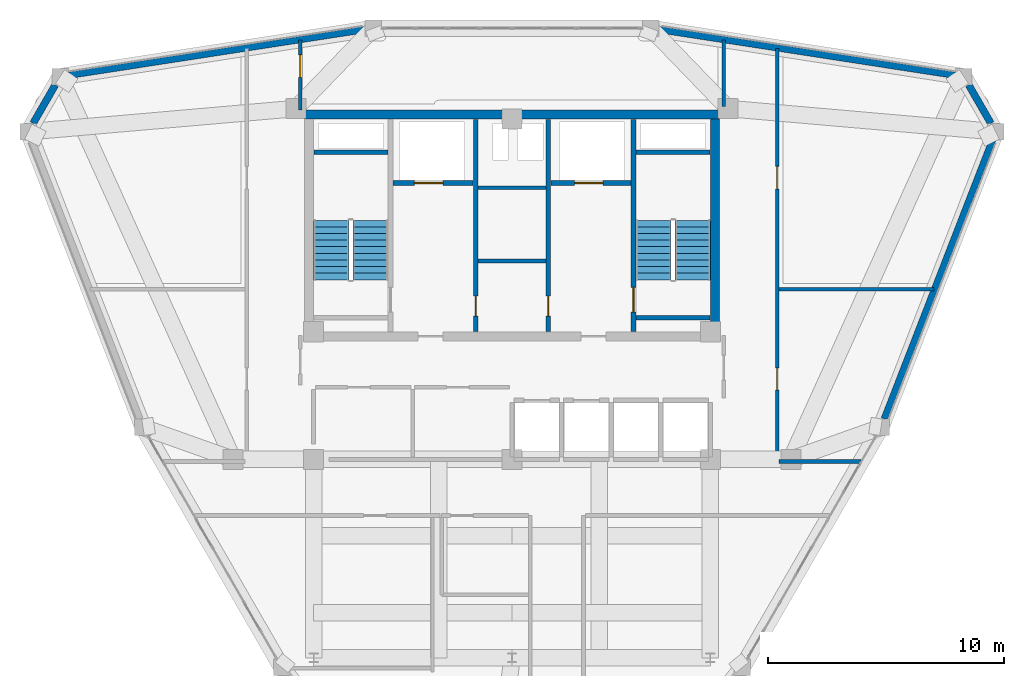
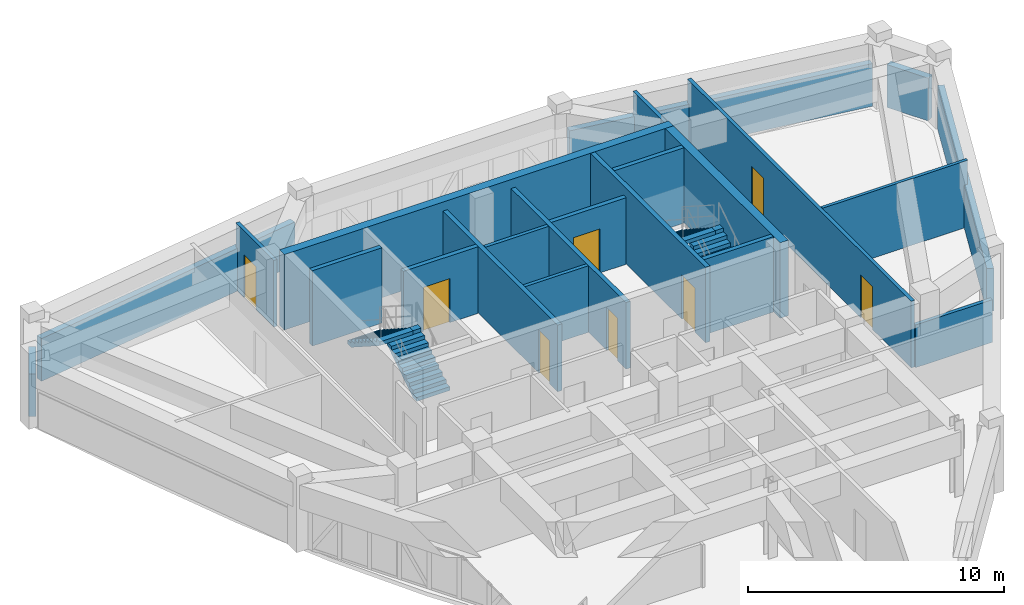
# One storey, part 12 of 14: 22 walls, 8 doors, 4 stair flights, 8 openings, 2 elements without a shape of their own.
"""IFC4 building model written with IfcOpenShell, lengths in metres."""

from ifc_helpers import new_model, si_unit, derived_unit, direction, frame, frame_2d, origin, place, context, subcontext, project, spatial, polyline, rectangle, outline, extrude, material, layer, layer_set, type_object, element, fill, aggregate, save


model = new_model("IFC4")

# Units and contexts
model_context = context("Model", 3, precision=1e-05, world=origin(), true_north=direction((0.0, 1.0)))
body_context = subcontext(model_context, "Body", "Model", "MODEL_VIEW")
ifc_project = project(units=[si_unit("LENGTHUNIT", "METRE"), si_unit("AREAUNIT", "SQUARE_METRE"), si_unit("VOLUMEUNIT", "CUBIC_METRE"), si_unit("PLANEANGLEUNIT", "RADIAN"), si_unit("MASSUNIT", "GRAM", prefix="KILO"), derived_unit("THERMALTRANSMITTANCEUNIT", [(si_unit("POWERUNIT", "WATT"), 1), (si_unit("LENGTHUNIT", "METRE"), -2), (si_unit("THERMODYNAMICTEMPERATUREUNIT", "KELVIN"), -1)])], contexts=[model_context])

# Site, building, storey
site_placement = place(None, origin())
site = spatial("IfcSite", under=ifc_project, at=site_placement, CompositionType="ELEMENT")
building_placement = place(site_placement, origin())
building = spatial("IfcBuilding", under=site, at=building_placement, Name="Korsvarv Bourse and Concert Hall", CompositionType="ELEMENT")
storey_placement = place(building_placement, frame((0.0, 0.0, 271.800048828125)))
storey = spatial("IfcBuildingStorey", under=building, at=storey_placement, Name="L71", CompositionType="ELEMENT", Elevation=271.800048828125)

# Walls
ifc_material_1 = material(Name="Concrete C50/60", Category="concrete")
ifc_layer_1 = layer(ifc_material_1, 0.3798828125)
ifc_layer_set_1 = layer_set([ifc_layer_1], Name="Concrete C50/60")
wall_type_1 = type_object("IfcWallType", Name="WL-CORE-380", PredefinedType="SHEAR", material=ifc_layer_set_1)
wall_1_placement = place(storey_placement, frame((27.219970703125, 46.989990234375, 0.0), z_axis=(0.0, 0.0, 1.0), x_axis=(1.0, 0.0, 0.0)))
element("IfcWall", 1, at=wall_1_placement, inside=storey, type_object=wall_type_1, Name="L71 North Core Shear Wall", PredefinedType="SHEAR", context=body_context, shape_type="SweptSolid", body=[
    extrude(rectangle(XDim=17.56005859375, YDim=0.3798828125, at=frame_2d((8.780029296875, 0.0))), origin(), (0.0, 0.0, 1.0), 3.599853515625),
])
wall_2_placement = place(storey_placement, frame((44.590087890625, 37.800048828125, 0.0), z_axis=(0.0, 0.0, 1.0), x_axis=(0.0, 1.0, 0.0)))
element("IfcWall", 2, at=wall_2_placement, inside=storey, type_object=wall_type_1, Name="L71 East Core Shear Wall", PredefinedType="SHEAR", context=body_context, shape_type="SweptSolid", body=[
    extrude(rectangle(XDim=9.0, YDim=0.3798828125, at=frame_2d((4.5, 0.0))), origin(), (0.0, 0.0, 1.0), 3.599853515625),
])
wall_3_placement = place(storey_placement, frame((27.610107421875, 45.39990234375, 0.0), z_axis=(0.0, 0.0, 1.0), x_axis=(1.0, 0.0, 0.0)))
element("IfcWall", 3, at=wall_3_placement, inside=storey, type_object=wall_type_1, Name="L71 stair shaft structural wall W-L71-ST1-N", PredefinedType="SHEAR", context=body_context, shape_type="SweptSolid", body=[
    extrude(rectangle(XDim=3.139892578125, YDim=0.199951171875, at=frame_2d((1.56982421875, 0.0))), origin(), (0.0, 0.0, 1.0), 3.599853515625),
])

# Wall, opening, door
wall_4_placement = place(storey_placement, frame((41.139892578125, 37.81005859375, 0.0), z_axis=(0.0, 0.0, 1.0), x_axis=(0.0, 1.0, 0.0)))
wall_4 = element("IfcWall", 4, at=wall_4_placement, inside=storey, type_object=wall_type_1, Name="L71 stair shaft structural wall W-L71-ST2-W", PredefinedType="SHEAR", context=body_context, shape_type="SweptSolid", body=[
    extrude(rectangle(XDim=8.97998046875, YDim=0.199951171875, at=frame_2d((4.489990234375, 0.0))), origin(), (0.0, 0.0, 1.0), 3.599853515625),
])
opening_1_placement = place(wall_4_placement, frame((0.820068359375, 0.0, 0.0)))
opening_1 = element("IfcOpeningElement", 5, at=opening_1_placement, cuts=wall_4, Name="Opening D-01", PredefinedType="OPENING", context=body_context, shape_type="SweptSolid", body=[
    extrude(rectangle(XDim=1.050048828125, YDim=2.10009765625, at=frame_2d((0.52490234375, 1.050048828125))), frame((0.0, 0.10986328125, 0.0), z_axis=(0.0, -1.0, 0.0), x_axis=(1.0, 0.0, 0.0)), (0.0, 0.0, 1.0), 0.219970703125),
])
ifc_material_2 = material(Name="Steel S355 fire door", Category="steel")
door_type_1 = type_object("IfcDoorType", Name="DR-FD60", OperationType="NOTDEFINED", PredefinedType="DOOR", material=ifc_material_2)
door_1_placement = place(opening_1_placement, frame((1.050048828125, 0.0, 0.0), z_axis=(0.0, 0.0, 1.0), x_axis=(-1.0, 0.0, 0.0)))
door_1 = element("IfcDoor", 6, at=door_1_placement, inside=storey, type_object=door_type_1, Name="L71 interior door DR-L71-ST2", OperationType="SINGLE_SWING_LEFT", OverallHeight=2.10009765625, OverallWidth=1.050048828125, PredefinedType="DOOR", context=body_context, shape_type="SweptSolid", body=[
    extrude(rectangle(XDim=1.050048828125, YDim=2.10009765625, at=frame_2d((0.52490234375, 1.050048828125))), frame((0.0, 0.02490234375, 0.0), z_axis=(0.0, -1.0, 0.0), x_axis=(1.0, 0.0, 0.0)), (0.0, 0.0, 1.0), 0.050048828125),
])
fill(opening_1, door_1)

# Walls
for number, where, z_axis, x_axis, name in (
    (7, (41.25, 45.39990234375, 0.0), (0.0, 0.0, 1.0), (1.0, 0.0, 0.0), "L71 stair shaft structural wall W-L71-ST2-N"),
    (8, (41.25, 38.39990234375, 0.0), (0.0, 0.0, 1.0), (1.0, 0.0, 0.0), "L71 stair shaft structural wall W-L71-ST2-S"),
):
    element("IfcWall", number, at=place(storey_placement, frame(where, z_axis=z_axis, x_axis=x_axis)), inside=storey, type_object=wall_type_1, Name=name, PredefinedType="SHEAR", context=body_context, shape_type="SweptSolid", body=[
        extrude(rectangle(XDim=3.139892578125, YDim=0.199951171875, at=frame_2d((1.56982421875, 0.0))), origin(), (0.0, 0.0, 1.0), 3.599853515625),
    ])
ifc_material_3 = material(Name="Precast concrete C45/55 with terracotta rainscreen", Category="concrete")
ifc_layer_2 = layer(ifc_material_3, 0.300048828125)
ifc_layer_set_2 = layer_set([ifc_layer_2], Name="Precast concrete C45/55 with terracotta rainscreen")
wall_type_2 = type_object("IfcWallType", Name="WL-EXT-TC1", PredefinedType="SOLIDWALL", material=ifc_layer_set_2)
for number, where, z_axis, x_axis, name in (
    (9, (56.269287109375, 46.621337890625, 0.0), (0.0, 0.0, 1.0), (-0.500023421257, 0.866011881093, 0.0), "L71 terracotta exterior wall EW-L71-B01"),
    (10, (16.6669921875, 48.242919921875, 0.0), (0.0, 0.0, 1.0), (-0.500023421257, -0.866011881093, 0.0), "L71 terracotta exterior wall EW-L71-B05"),
):
    element("IfcWall", number, at=place(storey_placement, frame(where, z_axis=z_axis, x_axis=x_axis)), inside=storey, type_object=wall_type_2, Name=name, PredefinedType="SOLIDWALL", context=body_context, shape_type="SweptSolid", body=[
        extrude(rectangle(XDim=1.87255859375, YDim=0.300048828125, at=frame_2d((0.936279296875, 0.0))), origin(), (0.0, 0.0, 1.0), 2.0400390625),
    ])
ifc_material_4 = material(Name="Precast concrete C45/55 with fluted terracotta pier", Category="concrete")
ifc_layer_3 = layer(ifc_material_4, 0.280029296875)
ifc_layer_set_3 = layer_set([ifc_layer_3], Name="Precast concrete C45/55 with fluted terracotta pier")
wall_type_3 = type_object("IfcWallType", Name="WL-EXT-TC2", PredefinedType="SOLIDWALL", material=ifc_layer_set_3)
for number, where, z_axis, x_axis, name in (
    (11, (54.77294921875, 48.65283203125, 0.0), (0.0, 0.0, 1.0), (-0.988271454673, 0.152707340617, 0.0), "L71 terracotta exterior wall EW-L71-B02"),
    (12, (29.775390625, 50.591796875, 0.0), (0.0, 0.0, 1.0), (-0.988271454673, -0.152707340617, 0.0), "L71 terracotta exterior wall EW-L71-B04"),
):
    element("IfcWall", number, at=place(storey_placement, frame(where, z_axis=z_axis, x_axis=x_axis)), inside=storey, type_object=wall_type_3, Name=name, PredefinedType="SOLIDWALL", context=body_context, shape_type="SweptSolid", body=[
        extrude(rectangle(XDim=12.697265625, YDim=0.280029296875, at=frame_2d((6.3486328125, 0.0))), origin(), (0.0, 0.0, 1.0), 2.0400390625),
    ])
wall_5_placement = place(storey_placement, frame((51.757080078125, 34.11474609375, 0.0), z_axis=(0.0, 0.0, 1.0), x_axis=(0.3618810561, 0.932224276253, 0.0)))
element("IfcWall", 13, at=wall_5_placement, inside=storey, type_object=wall_type_3, Name="L71 terracotta exterior wall EW-L71-B12", PredefinedType="SOLIDWALL", context=body_context, shape_type="SweptSolid", body=[
    extrude(rectangle(XDim=12.654296875, YDim=0.280029296875, at=frame_2d((6.3271484375, 0.0))), origin(), (0.0, 0.0, 1.0), 2.0400390625),
])

# Wall, opening, door
ifc_material_5 = material(Name="Reinforced concrete blockwork C35/45 fire wall", Category="concrete")
ifc_layer_4 = layer(ifc_material_5, 0.199951171875)
ifc_layer_set_4 = layer_set([ifc_layer_4], Name="Reinforced concrete blockwork C35/45 fire wall")
wall_type_4 = type_object("IfcWallType", Name="WL-INT-EI120", PredefinedType="PARTITIONING", material=ifc_layer_set_4)
wall_6_placement = place(storey_placement, frame((30.969970703125, 44.10009765625, 0.0), z_axis=(0.0, 0.0, 1.0), x_axis=(1.0, 0.0, 0.0)))
wall_6 = element("IfcWall", 14, at=wall_6_placement, inside=storey, type_object=wall_type_4, Name="L71 interior partition wall W-L71-FF1-S", PredefinedType="PARTITIONING", context=body_context, shape_type="SweptSolid", body=[
    extrude(rectangle(XDim=3.380126953125, YDim=0.199951171875, at=frame_2d((1.68994140625, 0.0))), origin(), (0.0, 0.0, 1.0), 3.179931640625),
])
opening_2_placement = place(wall_6_placement, frame((0.89990234375, 0.0, 0.0)))
opening_2 = element("IfcOpeningElement", 15, at=opening_2_placement, cuts=wall_6, Name="Opening LD-1", PredefinedType="OPENING", context=body_context, shape_type="SweptSolid", body=[
    extrude(rectangle(XDim=1.199951171875, YDim=2.10009765625, at=frame_2d((0.60009765625, 1.050048828125))), frame((0.0, 0.10986328125, 0.0), z_axis=(0.0, -1.0, 0.0), x_axis=(1.0, 0.0, 0.0)), (0.0, 0.0, 1.0), 0.219970703125),
])
ifc_material_6 = material(Name="Stainless Steel S355 firefighting lift landing door", Category="steel")
door_type_2 = type_object("IfcDoorType", Name="DR-LIFT-FF", OperationType="DOUBLE_DOOR_SLIDING", PredefinedType="DOOR", material=ifc_material_6)
door_2_placement = place(opening_2_placement, origin())
door_2 = element("IfcDoor", 16, at=door_2_placement, inside=storey, type_object=door_type_2, Name="L71 lift sliding landing door LD-L71-FF1", OperationType="DOUBLE_DOOR_SLIDING", OverallHeight=2.10009765625, OverallWidth=1.199951171875, PredefinedType="DOOR", context=body_context, shape_type="SweptSolid", body=[
    extrude(rectangle(XDim=1.199951171875, YDim=2.10009765625, at=frame_2d((0.60009765625, 1.050048828125))), frame((0.0, 0.02490234375, 0.0), z_axis=(0.0, -1.0, 0.0), x_axis=(1.0, 0.0, 0.0)), (0.0, 0.0, 1.0), 0.050048828125),
])
fill(opening_2, door_2)

wall_7_placement = place(storey_placement, frame((37.64990234375, 44.10009765625, 0.0), z_axis=(0.0, 0.0, 1.0), x_axis=(1.0, 0.0, 0.0)))
wall_7 = element("IfcWall", 17, at=wall_7_placement, inside=storey, type_object=wall_type_4, Name="L71 interior partition wall W-L71-FF2-S", PredefinedType="PARTITIONING", context=body_context, shape_type="SweptSolid", body=[
    extrude(rectangle(XDim=3.380126953125, YDim=0.199951171875, at=frame_2d((1.68994140625, 0.0))), origin(), (0.0, 0.0, 1.0), 3.179931640625),
])
opening_3_placement = place(wall_7_placement, frame((1.0, 0.0, 0.0)))
opening_3 = element("IfcOpeningElement", 18, at=opening_3_placement, cuts=wall_7, Name="Opening LD-1", PredefinedType="OPENING", context=body_context, shape_type="SweptSolid", body=[
    extrude(rectangle(XDim=1.199951171875, YDim=2.10009765625, at=frame_2d((0.60009765625, 1.050048828125))), frame((0.0, 0.10986328125, 0.0), z_axis=(0.0, -1.0, 0.0), x_axis=(1.0, 0.0, 0.0)), (0.0, 0.0, 1.0), 0.219970703125),
])
door_3_placement = place(opening_3_placement, origin())
door_3 = element("IfcDoor", 19, at=door_3_placement, inside=storey, type_object=door_type_2, Name="L71 lift sliding landing door LD-L71-FF2", OperationType="DOUBLE_DOOR_SLIDING", OverallHeight=2.10009765625, OverallWidth=1.199951171875, PredefinedType="DOOR", context=body_context, shape_type="SweptSolid", body=[
    extrude(rectangle(XDim=1.199951171875, YDim=2.10009765625, at=frame_2d((0.60009765625, 1.050048828125))), frame((0.0, 0.02490234375, 0.0), z_axis=(0.0, -1.0, 0.0), x_axis=(1.0, 0.0, 0.0)), (0.0, 0.0, 1.0), 0.050048828125),
])
fill(opening_3, door_3)

wall_8_placement = place(storey_placement, frame((34.4599609375, 37.81005859375, 0.0), z_axis=(0.0, 0.0, 1.0), x_axis=(0.0, 1.0, 0.0)))
wall_8 = element("IfcWall", 20, at=wall_8_placement, inside=storey, type_object=wall_type_4, Name="L71 interior partition wall W-L71-CSB-W", PredefinedType="PARTITIONING", context=body_context, shape_type="SweptSolid", body=[
    extrude(rectangle(XDim=8.97998046875, YDim=0.199951171875, at=frame_2d((4.489990234375, 0.0))), origin(), (0.0, 0.0, 1.0), 3.179931640625),
])
opening_4_placement = place(wall_8_placement, frame((0.64990234375, 0.0, 0.0)))
opening_4 = element("IfcOpeningElement", 21, at=opening_4_placement, cuts=wall_8, Name="Opening D-05", PredefinedType="OPENING", context=body_context, shape_type="SweptSolid", body=[
    extrude(rectangle(XDim=0.85009765625, YDim=2.050048828125, at=frame_2d((0.425048828125, 1.02490234375))), frame((0.0, 0.10986328125, 0.0), z_axis=(0.0, -1.0, 0.0), x_axis=(1.0, 0.0, 0.0)), (0.0, 0.0, 1.0), 0.219970703125),
])
door_type_3 = type_object("IfcDoorType", Name="DR-FD60-850X2050", OperationType="NOTDEFINED", PredefinedType="DOOR", material=ifc_material_2)
door_4_placement = place(opening_4_placement, frame((0.85009765625, 0.0, 0.0), z_axis=(0.0, 0.0, 1.0), x_axis=(-1.0, 0.0, 0.0)))
door_4 = element("IfcDoor", 22, at=door_4_placement, inside=storey, type_object=door_type_3, Name="L71 interior door DR-L71-CSB1", OperationType="SINGLE_SWING_RIGHT", OverallHeight=2.050048828125, OverallWidth=0.85009765625, PredefinedType="DOOR", context=body_context, shape_type="SweptSolid", body=[
    extrude(rectangle(XDim=0.85009765625, YDim=2.050048828125, at=frame_2d((0.425048828125, 1.02490234375))), frame((0.0, 0.02490234375, 0.0), z_axis=(0.0, -1.0, 0.0), x_axis=(1.0, 0.0, 0.0)), (0.0, 0.0, 1.0), 0.050048828125),
])
fill(opening_4, door_4)

wall_9_placement = place(storey_placement, frame((37.5400390625, 37.81005859375, 0.0), z_axis=(0.0, 0.0, 1.0), x_axis=(0.0, 1.0, 0.0)))
wall_9 = element("IfcWall", 23, at=wall_9_placement, inside=storey, type_object=wall_type_4, Name="L71 interior partition wall W-L71-CSB-E", PredefinedType="PARTITIONING", context=body_context, shape_type="SweptSolid", body=[
    extrude(rectangle(XDim=8.97998046875, YDim=0.199951171875, at=frame_2d((4.489990234375, 0.0))), origin(), (0.0, 0.0, 1.0), 3.179931640625),
])
opening_5_placement = place(wall_9_placement, frame((0.64990234375, 0.0, 0.0)))
opening_5 = element("IfcOpeningElement", 24, at=opening_5_placement, cuts=wall_9, Name="Opening D-05", PredefinedType="OPENING", context=body_context, shape_type="SweptSolid", body=[
    extrude(rectangle(XDim=0.85009765625, YDim=2.050048828125, at=frame_2d((0.425048828125, 1.02490234375))), frame((0.0, 0.10986328125, 0.0), z_axis=(0.0, -1.0, 0.0), x_axis=(1.0, 0.0, 0.0)), (0.0, 0.0, 1.0), 0.219970703125),
])
door_5_placement = place(opening_5_placement, origin())
door_5 = element("IfcDoor", 25, at=door_5_placement, inside=storey, type_object=door_type_3, Name="L71 interior door DR-L71-CSB2", OperationType="SINGLE_SWING_LEFT", OverallHeight=2.050048828125, OverallWidth=0.85009765625, PredefinedType="DOOR", context=body_context, shape_type="SweptSolid", body=[
    extrude(rectangle(XDim=0.85009765625, YDim=2.050048828125, at=frame_2d((0.425048828125, 1.02490234375))), frame((0.0, 0.02490234375, 0.0), z_axis=(0.0, -1.0, 0.0), x_axis=(1.0, 0.0, 0.0)), (0.0, 0.0, 1.0), 0.050048828125),
])
fill(opening_5, door_5)

# Walls
ifc_material_7 = material(Name="Double-stud fire-rated acoustic partition", Category="gypsum")
ifc_layer_5 = layer(ifc_material_7, 0.159912109375)
ifc_layer_set_5 = layer_set([ifc_layer_5], Name="Double-stud fire-rated acoustic partition")
wall_type_5 = type_object("IfcWallType", Name="WL-INT-EI60", PredefinedType="PARTITIONING", material=ifc_layer_set_5)
for number, where, z_axis, x_axis, name in (
    (26, (34.570068359375, 40.800048828125, 0.0), (0.0, 0.0, 1.0), (1.0, 0.0, 0.0), "L71 interior partition wall W-L71-K1"),
    (27, (34.570068359375, 43.89990234375, 0.0), (0.0, 0.0, 1.0), (1.0, 0.0, 0.0), "L71 interior partition wall W-L71-K2"),
):
    element("IfcWall", number, at=place(storey_placement, frame(where, z_axis=z_axis, x_axis=x_axis)), inside=storey, type_object=wall_type_5, Name=name, PredefinedType="PARTITIONING", context=body_context, shape_type="SweptSolid", body=[
        extrude(rectangle(XDim=2.85986328125, YDim=0.159912109375, at=frame_2d((1.429931640625, 0.0))), origin(), (0.0, 0.0, 1.0), 3.179931640625),
    ])

# Wall, openings, doors
wall_10_placement = place(storey_placement, frame((47.22509765625, 32.31005859375, 0.0), z_axis=(0.0, 0.0, 1.0), x_axis=(0.0, 1.0, 0.0)))
wall_10 = element("IfcWall", 28, at=wall_10_placement, inside=storey, type_object=wall_type_5, Name="L71 interior partition wall W-L71-TCOR-01", PredefinedType="PARTITIONING", context=body_context, shape_type="SweptSolid", body=[
    extrude(rectangle(XDim=17.4892578125, YDim=0.159912109375, at=frame_2d((8.74462890625, 0.0))), origin(), (0.0, 0.0, 1.0), 3.179931640625),
])
opening_6_placement = place(wall_10_placement, frame((3.017578125, 0.0, 0.0)))
opening_6 = element("IfcOpeningElement", 29, at=opening_6_placement, cuts=wall_10, Name="Opening D-02", PredefinedType="OPENING", context=body_context, shape_type="SweptSolid", body=[
    extrude(rectangle(XDim=0.949951171875, YDim=2.050048828125, at=frame_2d((0.47509765625, 1.02490234375))), frame((0.0, 0.08984375, 0.0), z_axis=(0.0, -1.0, 0.0), x_axis=(1.0, 0.0, 0.0)), (0.0, 0.0, 1.0), 0.179931640625),
])
opening_7_placement = place(wall_10_placement, frame((11.54052734375, 0.0, 0.0)))
opening_7 = element("IfcOpeningElement", 30, at=opening_7_placement, cuts=wall_10, Name="Opening D-02", PredefinedType="OPENING", context=body_context, shape_type="SweptSolid", body=[
    extrude(rectangle(XDim=0.949951171875, YDim=2.050048828125, at=frame_2d((0.47509765625, 1.02490234375))), frame((0.0, 0.08984375, 0.0), z_axis=(0.0, -1.0, 0.0), x_axis=(1.0, 0.0, 0.0)), (0.0, 0.0, 1.0), 0.179931640625),
])
ifc_material_8 = material(Name="Timber and steel acoustic fire door", Category="wood")
door_type_4 = type_object("IfcDoorType", Name="DR-FD30", OperationType="NOTDEFINED", PredefinedType="DOOR", material=ifc_material_8)
door_6_placement = place(opening_6_placement, origin())
door_6 = element("IfcDoor", 31, at=door_6_placement, inside=storey, type_object=door_type_4, Name="L71 interior door DR-L71-TCOR-FO71", OperationType="SINGLE_SWING_RIGHT", OverallHeight=2.050048828125, OverallWidth=0.949951171875, PredefinedType="DOOR", context=body_context, shape_type="SweptSolid", body=[
    extrude(rectangle(XDim=0.949951171875, YDim=2.050048828125, at=frame_2d((0.47509765625, 1.02490234375))), frame((0.0, 0.02490234375, 0.0), z_axis=(0.0, -1.0, 0.0), x_axis=(1.0, 0.0, 0.0)), (0.0, 0.0, 1.0), 0.050048828125),
])
fill(opening_6, door_6)
door_7_placement = place(opening_7_placement, origin())
door_7 = element("IfcDoor", 32, at=door_7_placement, inside=storey, type_object=door_type_4, Name="L71 interior door DR-L71-TCOR-FO82", OperationType="SINGLE_SWING_LEFT", OverallHeight=2.050048828125, OverallWidth=0.949951171875, PredefinedType="DOOR", context=body_context, shape_type="SweptSolid", body=[
    extrude(rectangle(XDim=0.949951171875, YDim=2.050048828125, at=frame_2d((0.47509765625, 1.02490234375))), frame((0.0, 0.02490234375, 0.0), z_axis=(0.0, -1.0, 0.0), x_axis=(1.0, 0.0, 0.0)), (0.0, 0.0, 1.0), 0.050048828125),
])
fill(opening_7, door_7)

# Wall
wall_11_placement = place(storey_placement, frame((47.306884765625, 32.31494140625, 0.0), z_axis=(0.0, 0.0, 1.0), x_axis=(1.0, 0.0, 0.0)))
element("IfcWall", 33, at=wall_11_placement, inside=storey, type_object=wall_type_5, Name="L71 interior partition wall W-L71-TCOR-09", PredefinedType="PARTITIONING", context=body_context, shape_type="SweptSolid", body=[
    extrude(rectangle(XDim=3.4580078125, YDim=0.159912109375, at=frame_2d((1.72900390625, 0.0))), origin(), (0.0, 0.0, 1.0), 2.0400390625),
])

# Wall, opening, door
wall_12_placement = place(storey_placement, frame((27.034912109375, 47.18310546875, 0.0), z_axis=(0.0, 0.0, 1.0), x_axis=(0.0, 1.0, 0.0)))
wall_12 = element("IfcWall", 34, at=wall_12_placement, inside=storey, type_object=wall_type_5, Name="L71 interior partition wall W-L71-TCOR-10", PredefinedType="PARTITIONING", context=body_context, shape_type="SweptSolid", body=[
    extrude(rectangle(XDim=2.96533203125, YDim=0.159912109375, at=frame_2d((1.482666015625, 0.0))), origin(), (0.0, 0.0, 1.0), 3.179931640625),
])
opening_8_placement = place(wall_12_placement, frame((1.38525390625, 0.0, 0.0)))
opening_8 = element("IfcOpeningElement", 35, at=opening_8_placement, cuts=wall_12, Name="Opening D-02", PredefinedType="OPENING", context=body_context, shape_type="SweptSolid", body=[
    extrude(rectangle(XDim=0.949951171875, YDim=2.050048828125, at=frame_2d((0.47509765625, 1.02490234375))), frame((0.0, 0.08984375, 0.0), z_axis=(0.0, -1.0, 0.0), x_axis=(1.0, 0.0, 0.0)), (0.0, 0.0, 1.0), 0.179931640625),
])
door_8_placement = place(opening_8_placement, origin())
door_8 = element("IfcDoor", 36, at=door_8_placement, inside=storey, type_object=door_type_4, Name="L71 interior door DR-L71-TCOR-FO44", OperationType="SINGLE_SWING_RIGHT", OverallHeight=2.050048828125, OverallWidth=0.949951171875, PredefinedType="DOOR", context=body_context, shape_type="SweptSolid", body=[
    extrude(rectangle(XDim=0.949951171875, YDim=2.050048828125, at=frame_2d((0.47509765625, 1.02490234375))), frame((0.0, 0.02490234375, 0.0), z_axis=(0.0, -1.0, 0.0), x_axis=(1.0, 0.0, 0.0)), (0.0, 0.0, 1.0), 0.050048828125),
])
fill(opening_8, door_8)

# Walls
wall_13_placement = place(storey_placement, frame((44.965087890625, 47.340087890625, 0.0), z_axis=(0.0, 0.0, 1.0), x_axis=(0.0, 1.0, 0.0)))
element("IfcWall", 37, at=wall_13_placement, inside=storey, type_object=wall_type_5, Name="L71 interior partition wall W-L71-TCOR-11", PredefinedType="PARTITIONING", context=body_context, shape_type="SweptSolid", body=[
    extrude(rectangle(XDim=2.808349609375, YDim=0.159912109375, at=frame_2d((1.404296875, 0.0))), origin(), (0.0, 0.0, 1.0), 3.179931640625),
])
ifc_material_9 = material(Name="Insulated steel-stud office acoustic partition", Category="gypsum")
ifc_layer_6 = layer(ifc_material_9, 0.139892578125)
ifc_layer_set_6 = layer_set([ifc_layer_6], Name="Insulated steel-stud office acoustic partition")
wall_type_6 = type_object("IfcWallType", Name="WL-INT-P1", PredefinedType="PARTITIONING", material=ifc_layer_set_6)
wall_14_placement = place(storey_placement, frame((47.306884765625, 39.60498046875, 0.0), z_axis=(0.0, 0.0, 1.0), x_axis=(1.0, 0.0, 0.0)))
element("IfcWall", 38, at=wall_14_placement, inside=storey, type_object=wall_type_6, Name="L71 interior partition wall W-L71-TCOR-12", PredefinedType="PARTITIONING", context=body_context, shape_type="SweptSolid", body=[
    extrude(rectangle(XDim=6.5615234375, YDim=0.139892578125, at=frame_2d((3.28076171875, 0.0))), origin(), (0.0, 0.0, 1.0), 3.179931640625),
])

# Stair, stair flights
ifc_material_10 = material(Name="Precast concrete C45/55", Category="concrete")
stair_type = type_object("IfcStairType", Name="STR-TYPE-04", PredefinedType="HALF_TURN_STAIR", material=ifc_material_10)
stair_1_placement = place(storey_placement, origin())
stair_1 = element("IfcStair", 39, at=stair_1_placement, inside=storey, type_object=stair_type, Name="L71 Tower West Exit Stair ST-T1", PredefinedType="HALF_TURN_STAIR")
stair_flight_type = type_object("IfcStairFlightType", Name="FLT-TYPE-04", PredefinedType="STRAIGHT", material=ifc_material_10)
stair_flight_1_placement = place(storey_placement, frame((30.010009765625, 40.0, 0.0), z_axis=(0.0, 0.0, 1.0), x_axis=(0.0, 1.0, 0.0)))
stair_flight_1 = element("IfcStairFlight", 40, at=stair_flight_1_placement, type_object=stair_flight_type, Name="ST-T1 flight 1", NumberOfRisers=10, NumberOfTreads=9, PredefinedType="STRAIGHT", RiserHeight=0.18, TreadLength=0.28, context=body_context, shape_type="SweptSolid", body=[
    extrude(outline(polyline([(0.0, 0.0), (0.0, 0.179931640625), (0.280029296875, 0.179931640625), (0.280029296875, 0.360107421875), (0.56005859375, 0.360107421875), (0.56005859375, 0.5400390625), (0.840087890625, 0.5400390625), (0.840087890625, 0.719970703125), (1.1201171875, 0.719970703125), (1.1201171875, 0.89990234375), (1.39990234375, 0.89990234375), (1.39990234375, 1.080078125), (1.679931640625, 1.080078125), (1.679931640625, 1.260009765625), (1.9599609375, 1.260009765625), (1.9599609375, 1.43994140625), (2.239990234375, 1.43994140625), (2.239990234375, 1.6201171875), (2.52001953125, 1.6201171875), (2.52001953125, 1.800048828125), (2.52001953125, 1.44189453125), (0.277099609375, 0.0), (0.0, 0.0)])), frame((0.0, 0.75, 0.0), z_axis=(0.0, -1.0, 0.0), x_axis=(1.0, 0.0, 0.0)), (0.0, 0.0, 1.0), 1.5),
])
stair_flight_2_placement = place(storey_placement, frame((28.35009765625, 42.52001953125, 1.800048828125), z_axis=(0.0, 0.0, 1.0), x_axis=(0.0, -1.0, 0.0)))
stair_flight_2 = element("IfcStairFlight", 41, at=stair_flight_2_placement, type_object=stair_flight_type, Name="ST-T1 flight 2", NumberOfRisers=10, NumberOfTreads=9, PredefinedType="STRAIGHT", RiserHeight=0.18, TreadLength=0.28, context=body_context, shape_type="SweptSolid", body=[
    extrude(outline(polyline([(0.0, 0.0), (0.0, 0.179931640625), (0.280029296875, 0.179931640625), (0.280029296875, 0.360107421875), (0.56005859375, 0.360107421875), (0.56005859375, 0.5400390625), (0.840087890625, 0.5400390625), (0.840087890625, 0.719970703125), (1.1201171875, 0.719970703125), (1.1201171875, 0.89990234375), (1.39990234375, 0.89990234375), (1.39990234375, 1.080078125), (1.679931640625, 1.080078125), (1.679931640625, 1.260009765625), (1.9599609375, 1.260009765625), (1.9599609375, 1.43994140625), (2.239990234375, 1.43994140625), (2.239990234375, 1.6201171875), (2.52001953125, 1.6201171875), (2.52001953125, 1.800048828125), (2.52001953125, 1.44189453125), (0.277099609375, 0.0), (0.0, 0.0)])), frame((0.0, 0.75, 0.0), z_axis=(0.0, -1.0, 0.0), x_axis=(1.0, 0.0, 0.0)), (0.0, 0.0, 1.0), 1.5),
])
aggregate(stair_1, [stair_flight_1, stair_flight_2])

stair_2_placement = place(storey_placement, origin())
stair_2 = element("IfcStair", 42, at=stair_2_placement, inside=storey, type_object=stair_type, Name="L71 Tower East Exit Stair ST-T2", PredefinedType="HALF_TURN_STAIR")
stair_flight_3_placement = place(storey_placement, frame((43.64990234375, 40.0, 0.0), z_axis=(0.0, 0.0, 1.0), x_axis=(0.0, 1.0, 0.0)))
stair_flight_3 = element("IfcStairFlight", 43, at=stair_flight_3_placement, type_object=stair_flight_type, Name="ST-T2 flight 1", NumberOfRisers=10, NumberOfTreads=9, PredefinedType="STRAIGHT", RiserHeight=0.18, TreadLength=0.28, context=body_context, shape_type="SweptSolid", body=[
    extrude(outline(polyline([(0.0, 0.0), (0.0, 0.179931640625), (0.280029296875, 0.179931640625), (0.280029296875, 0.360107421875), (0.56005859375, 0.360107421875), (0.56005859375, 0.5400390625), (0.840087890625, 0.5400390625), (0.840087890625, 0.719970703125), (1.1201171875, 0.719970703125), (1.1201171875, 0.89990234375), (1.39990234375, 0.89990234375), (1.39990234375, 1.080078125), (1.679931640625, 1.080078125), (1.679931640625, 1.260009765625), (1.9599609375, 1.260009765625), (1.9599609375, 1.43994140625), (2.239990234375, 1.43994140625), (2.239990234375, 1.6201171875), (2.52001953125, 1.6201171875), (2.52001953125, 1.800048828125), (2.52001953125, 1.44189453125), (0.277099609375, 0.0), (0.0, 0.0)])), frame((0.0, 0.75, 0.0), z_axis=(0.0, -1.0, 0.0), x_axis=(1.0, 0.0, 0.0)), (0.0, 0.0, 1.0), 1.5),
])
stair_flight_4_placement = place(storey_placement, frame((41.989990234375, 42.52001953125, 1.800048828125), z_axis=(0.0, 0.0, 1.0), x_axis=(0.0, -1.0, 0.0)))
stair_flight_4 = element("IfcStairFlight", 44, at=stair_flight_4_placement, type_object=stair_flight_type, Name="ST-T2 flight 2", NumberOfRisers=10, NumberOfTreads=9, PredefinedType="STRAIGHT", RiserHeight=0.18, TreadLength=0.28, context=body_context, shape_type="SweptSolid", body=[
    extrude(outline(polyline([(0.0, 0.0), (0.0, 0.179931640625), (0.280029296875, 0.179931640625), (0.280029296875, 0.360107421875), (0.56005859375, 0.360107421875), (0.56005859375, 0.5400390625), (0.840087890625, 0.5400390625), (0.840087890625, 0.719970703125), (1.1201171875, 0.719970703125), (1.1201171875, 0.89990234375), (1.39990234375, 0.89990234375), (1.39990234375, 1.080078125), (1.679931640625, 1.080078125), (1.679931640625, 1.260009765625), (1.9599609375, 1.260009765625), (1.9599609375, 1.43994140625), (2.239990234375, 1.43994140625), (2.239990234375, 1.6201171875), (2.52001953125, 1.6201171875), (2.52001953125, 1.800048828125), (2.52001953125, 1.44189453125), (0.277099609375, 0.0), (0.0, 0.0)])), frame((0.0, 0.75, 0.0), z_axis=(0.0, -1.0, 0.0), x_axis=(1.0, 0.0, 0.0)), (0.0, 0.0, 1.0), 1.5),
])
aggregate(stair_2, [stair_flight_3, stair_flight_4])

save(model, "model.ifc")
